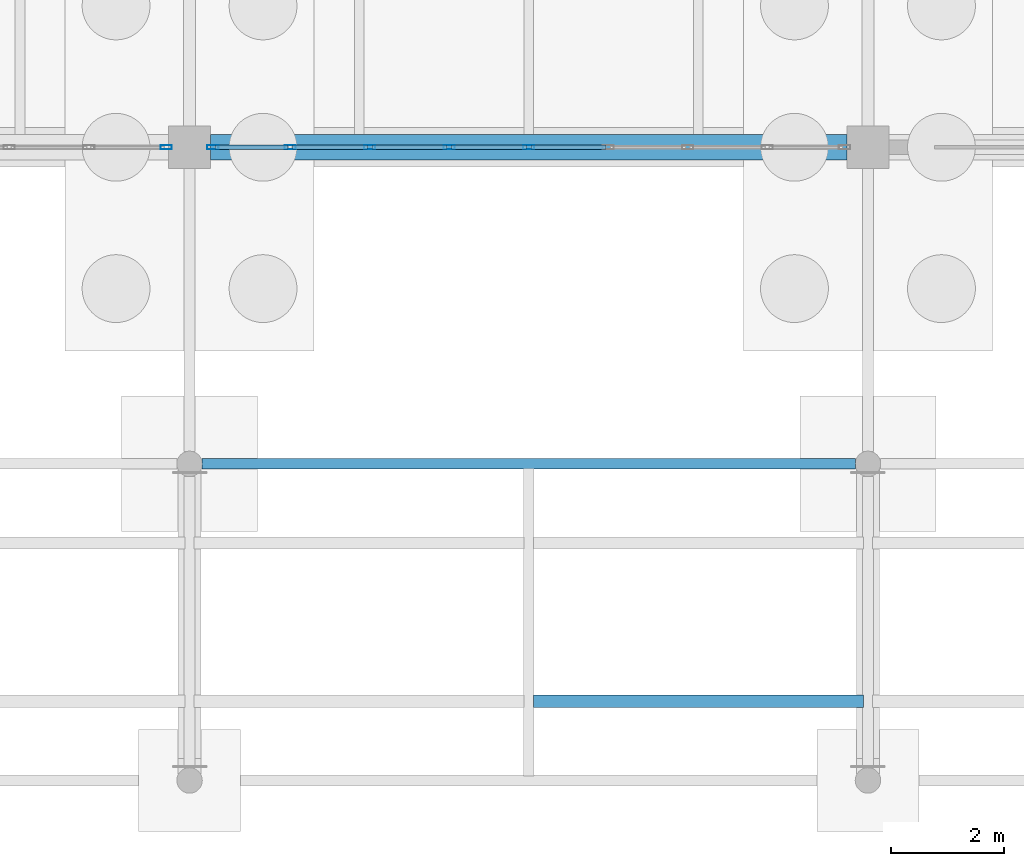
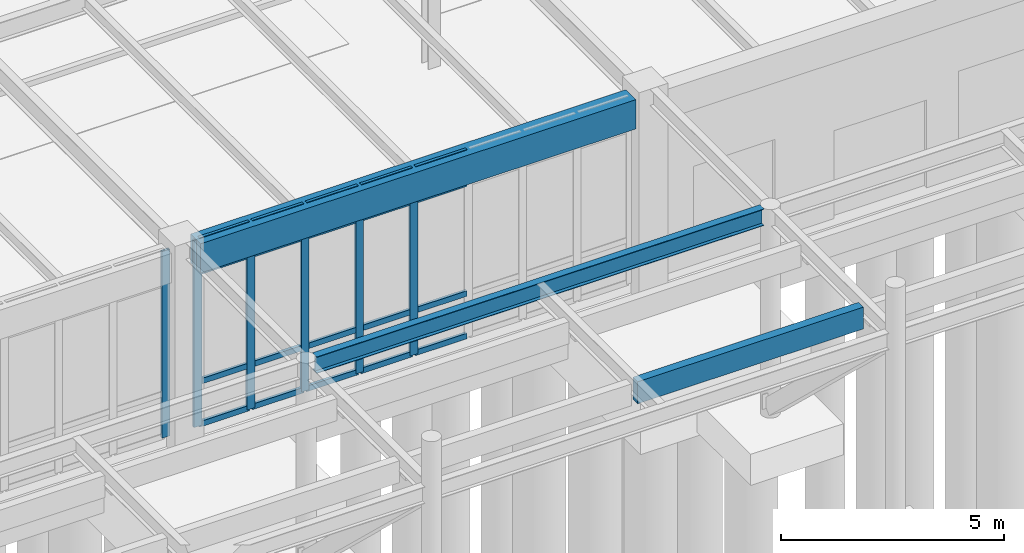
# One storey, part 56 of 188: 27 members, 2 beams, 2 elements without a shape of their own.
"""IFC4 building model written with IfcOpenShell, lengths in metres."""

from ifc_helpers import new_model, si_unit, direction, frame, origin, origin_2d, place, context, subcontext, project, spatial, rectangle, hollow_rectangle, i_section, extrude, material, layer, layer_set, material_profile, profile_set, type_object, element, aggregate, save


model = new_model("IFC4")

# Units and contexts
model_context = context("Model", 3, precision=1e-05, world=origin(), true_north=direction((0.0, 1.0)))
body_context = subcontext(model_context, "Body", "Model", "MODEL_VIEW")
ifc_project = project(units=[si_unit("LENGTHUNIT", "METRE"), si_unit("AREAUNIT", "SQUARE_METRE"), si_unit("VOLUMEUNIT", "CUBIC_METRE"), si_unit("PLANEANGLEUNIT", "RADIAN"), si_unit("MASSUNIT", "GRAM", prefix="KILO")], contexts=[model_context])

# Site, building, storey
site_placement = place(None, origin())
site = spatial("IfcSite", under=ifc_project, at=site_placement, CompositionType="ELEMENT")
building_placement = place(site_placement, origin())
building = spatial("IfcBuilding", under=site, at=building_placement, Name="Pandanus Reach Market Hall", CompositionType="ELEMENT")
storey_placement = place(building_placement, origin())
storey = spatial("IfcBuildingStorey", under=building, at=storey_placement, Name="L00", CompositionType="ELEMENT", Elevation=0.0)

# Beams
ifc_material_1 = material(Name="Concrete N40 (40 MPa)", Category="concrete")
ifc_material_profile_1 = material_profile(ifc_material_1, rectangle(XDim=0.449951171875, YDim=0.800048828125, at=origin_2d()), Name="RC450x800", Category="LoadBearing")
ifc_profile_set_1 = profile_set([ifc_material_profile_1], Name="Concrete N40 (40 MPa)")
beam_type_1 = type_object("IfcBeamType", Name="BM-RC450-E", PredefinedType="SPANDREL", material=ifc_profile_set_1)
beam_1_placement = place(storey_placement, frame((72.373046875, 28.800048828125, 4.719970703125), z_axis=(1.0, 0.0, 0.0), x_axis=(0.0, 1.0, 0.0)))
element("IfcBeam", 1, at=beam_1_placement, inside=storey, type_object=beam_type_1, Name="Framing beam BM-RC450-E L00.1040", PredefinedType="SPANDREL", context=body_context, shape_type="SweptSolid", body=[
    extrude(rectangle(XDim=0.449951171875, YDim=0.800048828125, at=origin_2d()), origin(), (0.0, 0.0, 1.0), 11.25390625),
])
ifc_material_2 = material(Name="Steel Grade 350 (350 MPa)", Category="steel")
ifc_material_profile_2 = material_profile(ifc_material_2, i_section(OverallWidth=0.18994140625, OverallDepth=0.45703125, WebThickness=0.009033203125, FlangeThickness=0.014404296875, at=origin_2d()), Name="460UB74.6", Category="LoadBearing")
ifc_profile_set_2 = profile_set([ifc_material_profile_2], Name="Steel Grade 350 (350 MPa)")
beam_type_2 = type_object("IfcBeamType", Name="BM-UB460-E", PredefinedType="BEAM", material=ifc_profile_set_2)
beam_2_placement = place(storey_placement, frame((72.219970703125, 23.199951171875, 5.169921875), z_axis=(1.0, 0.0, 0.0), x_axis=(0.0, 1.0, 0.0)))
element("IfcBeam", 2, at=beam_2_placement, inside=storey, type_object=beam_type_2, Name="Forecourt canopy spine girder C2", PredefinedType="BEAM", context=body_context, shape_type="SweptSolid", body=[
    extrude(i_section(OverallWidth=0.18994140625, OverallDepth=0.45703125, WebThickness=0.009033203125, FlangeThickness=0.014404296875, at=origin_2d()), origin(), (0.0, 0.0, 1.0), 11.56005859375),
])

# Curtain wall, member
ifc_material_3 = material(Name="Bronze anodised aluminium and low-E glass", Category="aluminium")
ifc_layer = layer(ifc_material_3, 0.199951171875, Name="CW-01")
ifc_layer_set = layer_set([ifc_layer], Name="Bronze anodised aluminium and low-E glass")
curtain_wall_type = type_object("IfcCurtainWallType", Name="CW-01", PredefinedType="NOTDEFINED", material=ifc_layer_set)
curtain_wall_1_placement = place(storey_placement, origin())
curtain_wall_1 = element("IfcCurtainWall", 3, at=curtain_wall_1_placement, inside=storey, type_object=curtain_wall_type, Name="Glazed curtain wall CW-01 CW-0001", PredefinedType="NOTDEFINED")
ifc_material_4 = material(Name="Bronze anodised aluminium", Category="aluminium")
ifc_material_profile_3 = material_profile(ifc_material_4, hollow_rectangle(XDim=0.074951171875, YDim=0.199951171875, WallThickness=0.00439453125, at=origin_2d()), Name="ALU75x200", Category="LoadBearing")
ifc_profile_set_3 = profile_set([ifc_material_profile_3], Name="Bronze anodised aluminium")
member_type_1 = type_object("IfcMemberType", Name="CW-M2", PredefinedType="MULLION", material=ifc_profile_set_3)
member_1_placement = place(storey_placement, frame((71.58740234375, 28.800048828125, 0.0), z_axis=(0.0, 0.0, 1.0), x_axis=(0.0, 1.0, 0.0)))
member_1 = element("IfcMember", 4, at=member_1_placement, type_object=member_type_1, Name="CW-01 mullion 9", PredefinedType="MULLION", context=body_context, shape_type="SweptSolid", body=[
    extrude(hollow_rectangle(XDim=0.074951171875, YDim=0.199951171875, WallThickness=0.00439453125, at=origin_2d()), origin(), (0.0, 0.0, 1.0), 5.10009765625),
])
aggregate(curtain_wall_1, [member_1])

# Curtain wall, members
curtain_wall_2_placement = place(storey_placement, origin())
curtain_wall_2 = element("IfcCurtainWall", 5, at=curtain_wall_2_placement, inside=storey, type_object=curtain_wall_type, Name="Glazed curtain wall CW-01 CW-0003", PredefinedType="NOTDEFINED")
member_2_placement = place(storey_placement, frame((72.41259765625, 28.800048828125, 0.0), z_axis=(0.0, 0.0, 1.0), x_axis=(0.0, 1.0, 0.0)))
member_2 = element("IfcMember", 6, at=member_2_placement, type_object=member_type_1, Name="CW-01 mullion 1", PredefinedType="MULLION", context=body_context, shape_type="SweptSolid", body=[
    extrude(hollow_rectangle(XDim=0.074951171875, YDim=0.199951171875, WallThickness=0.00439453125, at=origin_2d()), origin(), (0.0, 0.0, 1.0), 5.10009765625),
])
member_3_placement = place(storey_placement, frame((73.78125, 28.800048828125, 0.0), z_axis=(0.0, 0.0, 1.0), x_axis=(0.0, 1.0, 0.0)))
member_3 = element("IfcMember", 7, at=member_3_placement, type_object=member_type_1, Name="CW-01 mullion 2", PredefinedType="MULLION", context=body_context, shape_type="SweptSolid", body=[
    extrude(hollow_rectangle(XDim=0.074951171875, YDim=0.199951171875, WallThickness=0.00439453125, at=origin_2d()), origin(), (0.0, 0.0, 1.0), 5.10009765625),
])
member_4_placement = place(storey_placement, frame((75.1875, 28.800048828125, 0.0), z_axis=(0.0, 0.0, 1.0), x_axis=(0.0, 1.0, 0.0)))
member_4 = element("IfcMember", 8, at=member_4_placement, type_object=member_type_1, Name="CW-01 mullion 3", PredefinedType="MULLION", context=body_context, shape_type="SweptSolid", body=[
    extrude(hollow_rectangle(XDim=0.074951171875, YDim=0.199951171875, WallThickness=0.00439453125, at=origin_2d()), origin(), (0.0, 0.0, 1.0), 5.10009765625),
])
member_5_placement = place(storey_placement, frame((76.59375, 28.800048828125, 0.0), z_axis=(0.0, 0.0, 1.0), x_axis=(0.0, 1.0, 0.0)))
member_5 = element("IfcMember", 9, at=member_5_placement, type_object=member_type_1, Name="CW-01 mullion 4", PredefinedType="MULLION", context=body_context, shape_type="SweptSolid", body=[
    extrude(hollow_rectangle(XDim=0.074951171875, YDim=0.199951171875, WallThickness=0.00439453125, at=origin_2d()), origin(), (0.0, 0.0, 1.0), 5.10009765625),
])
member_6_placement = place(storey_placement, frame((78.0, 28.800048828125, 0.0), z_axis=(0.0, 0.0, 1.0), x_axis=(0.0, 1.0, 0.0)))
member_6 = element("IfcMember", 10, at=member_6_placement, type_object=member_type_1, Name="CW-01 mullion 5", PredefinedType="MULLION", context=body_context, shape_type="SweptSolid", body=[
    extrude(hollow_rectangle(XDim=0.074951171875, YDim=0.199951171875, WallThickness=0.00439453125, at=origin_2d()), origin(), (0.0, 0.0, 1.0), 5.10009765625),
])
ifc_material_profile_4 = material_profile(ifc_material_4, hollow_rectangle(XDim=0.074951171875, YDim=0.14990234375, WallThickness=0.00439453125, at=origin_2d()), Name="ALU75x150", Category="LoadBearing")
ifc_profile_set_4 = profile_set([ifc_material_profile_4], Name="Bronze anodised aluminium")
member_type_2 = type_object("IfcMemberType", Name="CW-T2", PredefinedType="USERDEFINED", material=ifc_profile_set_4)
member_7_placement = place(storey_placement, frame((72.449951171875, 28.800048828125, 0.03759765625), z_axis=(1.0, 0.0, 0.0), x_axis=(0.0, 1.0, 0.0)))
member_7 = element("IfcMember", 11, at=member_7_placement, type_object=member_type_2, Name="CW-01 transom 1.1", ObjectType="TRANSOM", PredefinedType="USERDEFINED", context=body_context, shape_type="SweptSolid", body=[
    extrude(hollow_rectangle(XDim=0.074951171875, YDim=0.14990234375, WallThickness=0.00439453125, at=origin_2d()), origin(), (0.0, 0.0, 1.0), 1.293701171875),
])
member_8_placement = place(storey_placement, frame((72.449951171875, 28.800048828125, 1.199951171875), z_axis=(1.0, 0.0, 0.0), x_axis=(0.0, 1.0, 0.0)))
member_8 = element("IfcMember", 12, at=member_8_placement, type_object=member_type_2, Name="CW-01 transom 1.2", ObjectType="TRANSOM", PredefinedType="USERDEFINED", context=body_context, shape_type="SweptSolid", body=[
    extrude(hollow_rectangle(XDim=0.074951171875, YDim=0.14990234375, WallThickness=0.00439453125, at=origin_2d()), origin(), (0.0, 0.0, 1.0), 1.293701171875),
])
member_9_placement = place(storey_placement, frame((72.449951171875, 28.800048828125, 4.199951171875), z_axis=(1.0, 0.0, 0.0), x_axis=(0.0, 1.0, 0.0)))
member_9 = element("IfcMember", 13, at=member_9_placement, type_object=member_type_2, Name="CW-01 transom 1.3", ObjectType="TRANSOM", PredefinedType="USERDEFINED", context=body_context, shape_type="SweptSolid", body=[
    extrude(hollow_rectangle(XDim=0.074951171875, YDim=0.14990234375, WallThickness=0.00439453125, at=origin_2d()), origin(), (0.0, 0.0, 1.0), 1.293701171875),
])
member_10_placement = place(storey_placement, frame((72.449951171875, 28.800048828125, 5.0625), z_axis=(1.0, 0.0, 0.0), x_axis=(0.0, 1.0, 0.0)))
member_10 = element("IfcMember", 14, at=member_10_placement, type_object=member_type_2, Name="CW-01 transom 1.4", ObjectType="TRANSOM", PredefinedType="USERDEFINED", context=body_context, shape_type="SweptSolid", body=[
    extrude(hollow_rectangle(XDim=0.074951171875, YDim=0.14990234375, WallThickness=0.00439453125, at=origin_2d()), origin(), (0.0, 0.0, 1.0), 1.293701171875),
])
member_11_placement = place(storey_placement, frame((73.81884765625, 28.800048828125, 0.03759765625), z_axis=(1.0, 0.0, 0.0), x_axis=(0.0, 1.0, 0.0)))
member_11 = element("IfcMember", 15, at=member_11_placement, type_object=member_type_2, Name="CW-01 transom 2.1", ObjectType="TRANSOM", PredefinedType="USERDEFINED", context=body_context, shape_type="SweptSolid", body=[
    extrude(hollow_rectangle(XDim=0.074951171875, YDim=0.14990234375, WallThickness=0.00439453125, at=origin_2d()), origin(), (0.0, 0.0, 1.0), 1.3310546875),
])
member_12_placement = place(storey_placement, frame((73.81884765625, 28.800048828125, 1.199951171875), z_axis=(1.0, 0.0, 0.0), x_axis=(0.0, 1.0, 0.0)))
member_12 = element("IfcMember", 16, at=member_12_placement, type_object=member_type_2, Name="CW-01 transom 2.2", ObjectType="TRANSOM", PredefinedType="USERDEFINED", context=body_context, shape_type="SweptSolid", body=[
    extrude(hollow_rectangle(XDim=0.074951171875, YDim=0.14990234375, WallThickness=0.00439453125, at=origin_2d()), origin(), (0.0, 0.0, 1.0), 1.3310546875),
])
member_13_placement = place(storey_placement, frame((73.81884765625, 28.800048828125, 4.199951171875), z_axis=(1.0, 0.0, 0.0), x_axis=(0.0, 1.0, 0.0)))
member_13 = element("IfcMember", 17, at=member_13_placement, type_object=member_type_2, Name="CW-01 transom 2.3", ObjectType="TRANSOM", PredefinedType="USERDEFINED", context=body_context, shape_type="SweptSolid", body=[
    extrude(hollow_rectangle(XDim=0.074951171875, YDim=0.14990234375, WallThickness=0.00439453125, at=origin_2d()), origin(), (0.0, 0.0, 1.0), 1.3310546875),
])
member_14_placement = place(storey_placement, frame((73.81884765625, 28.800048828125, 5.0625), z_axis=(1.0, 0.0, 0.0), x_axis=(0.0, 1.0, 0.0)))
member_14 = element("IfcMember", 18, at=member_14_placement, type_object=member_type_2, Name="CW-01 transom 2.4", ObjectType="TRANSOM", PredefinedType="USERDEFINED", context=body_context, shape_type="SweptSolid", body=[
    extrude(hollow_rectangle(XDim=0.074951171875, YDim=0.14990234375, WallThickness=0.00439453125, at=origin_2d()), origin(), (0.0, 0.0, 1.0), 1.3310546875),
])
member_15_placement = place(storey_placement, frame((75.22509765625, 28.800048828125, 0.03759765625), z_axis=(1.0, 0.0, 0.0), x_axis=(0.0, 1.0, 0.0)))
member_15 = element("IfcMember", 19, at=member_15_placement, type_object=member_type_2, Name="CW-01 transom 3.1", ObjectType="TRANSOM", PredefinedType="USERDEFINED", context=body_context, shape_type="SweptSolid", body=[
    extrude(hollow_rectangle(XDim=0.074951171875, YDim=0.14990234375, WallThickness=0.00439453125, at=origin_2d()), origin(), (0.0, 0.0, 1.0), 1.3310546875),
])
member_16_placement = place(storey_placement, frame((75.22509765625, 28.800048828125, 1.199951171875), z_axis=(1.0, 0.0, 0.0), x_axis=(0.0, 1.0, 0.0)))
member_16 = element("IfcMember", 20, at=member_16_placement, type_object=member_type_2, Name="CW-01 transom 3.2", ObjectType="TRANSOM", PredefinedType="USERDEFINED", context=body_context, shape_type="SweptSolid", body=[
    extrude(hollow_rectangle(XDim=0.074951171875, YDim=0.14990234375, WallThickness=0.00439453125, at=origin_2d()), origin(), (0.0, 0.0, 1.0), 1.3310546875),
])
member_17_placement = place(storey_placement, frame((75.22509765625, 28.800048828125, 4.199951171875), z_axis=(1.0, 0.0, 0.0), x_axis=(0.0, 1.0, 0.0)))
member_17 = element("IfcMember", 21, at=member_17_placement, type_object=member_type_2, Name="CW-01 transom 3.3", ObjectType="TRANSOM", PredefinedType="USERDEFINED", context=body_context, shape_type="SweptSolid", body=[
    extrude(hollow_rectangle(XDim=0.074951171875, YDim=0.14990234375, WallThickness=0.00439453125, at=origin_2d()), origin(), (0.0, 0.0, 1.0), 1.3310546875),
])
member_18_placement = place(storey_placement, frame((75.22509765625, 28.800048828125, 5.0625), z_axis=(1.0, 0.0, 0.0), x_axis=(0.0, 1.0, 0.0)))
member_18 = element("IfcMember", 22, at=member_18_placement, type_object=member_type_2, Name="CW-01 transom 3.4", ObjectType="TRANSOM", PredefinedType="USERDEFINED", context=body_context, shape_type="SweptSolid", body=[
    extrude(hollow_rectangle(XDim=0.074951171875, YDim=0.14990234375, WallThickness=0.00439453125, at=origin_2d()), origin(), (0.0, 0.0, 1.0), 1.3310546875),
])
member_19_placement = place(storey_placement, frame((76.63134765625, 28.800048828125, 0.03759765625), z_axis=(1.0, 0.0, 0.0), x_axis=(0.0, 1.0, 0.0)))
member_19 = element("IfcMember", 23, at=member_19_placement, type_object=member_type_2, Name="CW-01 transom 4.1", ObjectType="TRANSOM", PredefinedType="USERDEFINED", context=body_context, shape_type="SweptSolid", body=[
    extrude(hollow_rectangle(XDim=0.074951171875, YDim=0.14990234375, WallThickness=0.00439453125, at=origin_2d()), origin(), (0.0, 0.0, 1.0), 1.3310546875),
])
member_20_placement = place(storey_placement, frame((76.63134765625, 28.800048828125, 1.199951171875), z_axis=(1.0, 0.0, 0.0), x_axis=(0.0, 1.0, 0.0)))
member_20 = element("IfcMember", 24, at=member_20_placement, type_object=member_type_2, Name="CW-01 transom 4.2", ObjectType="TRANSOM", PredefinedType="USERDEFINED", context=body_context, shape_type="SweptSolid", body=[
    extrude(hollow_rectangle(XDim=0.074951171875, YDim=0.14990234375, WallThickness=0.00439453125, at=origin_2d()), origin(), (0.0, 0.0, 1.0), 1.3310546875),
])
member_21_placement = place(storey_placement, frame((76.63134765625, 28.800048828125, 4.199951171875), z_axis=(1.0, 0.0, 0.0), x_axis=(0.0, 1.0, 0.0)))
member_21 = element("IfcMember", 25, at=member_21_placement, type_object=member_type_2, Name="CW-01 transom 4.3", ObjectType="TRANSOM", PredefinedType="USERDEFINED", context=body_context, shape_type="SweptSolid", body=[
    extrude(hollow_rectangle(XDim=0.074951171875, YDim=0.14990234375, WallThickness=0.00439453125, at=origin_2d()), origin(), (0.0, 0.0, 1.0), 1.3310546875),
])
member_22_placement = place(storey_placement, frame((76.63134765625, 28.800048828125, 5.0625), z_axis=(1.0, 0.0, 0.0), x_axis=(0.0, 1.0, 0.0)))
member_22 = element("IfcMember", 26, at=member_22_placement, type_object=member_type_2, Name="CW-01 transom 4.4", ObjectType="TRANSOM", PredefinedType="USERDEFINED", context=body_context, shape_type="SweptSolid", body=[
    extrude(hollow_rectangle(XDim=0.074951171875, YDim=0.14990234375, WallThickness=0.00439453125, at=origin_2d()), origin(), (0.0, 0.0, 1.0), 1.3310546875),
])
member_23_placement = place(storey_placement, frame((78.03759765625, 28.800048828125, 0.03759765625), z_axis=(1.0, 0.0, 0.0), x_axis=(0.0, 1.0, 0.0)))
member_23 = element("IfcMember", 27, at=member_23_placement, type_object=member_type_2, Name="CW-01 transom 5.1", ObjectType="TRANSOM", PredefinedType="USERDEFINED", context=body_context, shape_type="SweptSolid", body=[
    extrude(hollow_rectangle(XDim=0.074951171875, YDim=0.14990234375, WallThickness=0.00439453125, at=origin_2d()), origin(), (0.0, 0.0, 1.0), 1.3310546875),
])
member_24_placement = place(storey_placement, frame((78.03759765625, 28.800048828125, 1.199951171875), z_axis=(1.0, 0.0, 0.0), x_axis=(0.0, 1.0, 0.0)))
member_24 = element("IfcMember", 28, at=member_24_placement, type_object=member_type_2, Name="CW-01 transom 5.2", ObjectType="TRANSOM", PredefinedType="USERDEFINED", context=body_context, shape_type="SweptSolid", body=[
    extrude(hollow_rectangle(XDim=0.074951171875, YDim=0.14990234375, WallThickness=0.00439453125, at=origin_2d()), origin(), (0.0, 0.0, 1.0), 1.3310546875),
])
member_25_placement = place(storey_placement, frame((78.03759765625, 28.800048828125, 4.199951171875), z_axis=(1.0, 0.0, 0.0), x_axis=(0.0, 1.0, 0.0)))
member_25 = element("IfcMember", 29, at=member_25_placement, type_object=member_type_2, Name="CW-01 transom 5.3", ObjectType="TRANSOM", PredefinedType="USERDEFINED", context=body_context, shape_type="SweptSolid", body=[
    extrude(hollow_rectangle(XDim=0.074951171875, YDim=0.14990234375, WallThickness=0.00439453125, at=origin_2d()), origin(), (0.0, 0.0, 1.0), 1.3310546875),
])
member_26_placement = place(storey_placement, frame((78.03759765625, 28.800048828125, 5.0625), z_axis=(1.0, 0.0, 0.0), x_axis=(0.0, 1.0, 0.0)))
member_26 = element("IfcMember", 30, at=member_26_placement, type_object=member_type_2, Name="CW-01 transom 5.4", ObjectType="TRANSOM", PredefinedType="USERDEFINED", context=body_context, shape_type="SweptSolid", body=[
    extrude(hollow_rectangle(XDim=0.074951171875, YDim=0.14990234375, WallThickness=0.00439453125, at=origin_2d()), origin(), (0.0, 0.0, 1.0), 1.3310546875),
])
aggregate(curtain_wall_2, [member_2, member_3, member_4, member_5, member_6, member_7, member_8, member_9, member_10, member_11, member_12, member_13, member_14, member_15, member_16, member_17, member_18, member_19, member_20, member_21, member_22, member_23, member_24, member_25, member_26])

# Member
ifc_material_5 = material(Name="Glulam timber GL17", Category="wood")
ifc_material_profile_5 = material_profile(ifc_material_5, rectangle(XDim=0.215087890625, YDim=0.60009765625, at=origin_2d()), Name="GL215x600", Category="LoadBearing")
ifc_profile_set_5 = profile_set([ifc_material_profile_5], Name="Glulam timber GL17")
member_type_3 = type_object("IfcMemberType", Name="PR-GL215-E", PredefinedType="PURLIN", material=ifc_profile_set_5)
member_27_placement = place(storey_placement, frame((78.080078125, 19.0, 4.919921875), z_axis=(1.0, 0.0, 0.0), x_axis=(0.0, 1.0, 0.0)))
element("IfcMember", 31, at=member_27_placement, inside=storey, type_object=member_type_3, Name="Canopy glulam purlin C2E", PredefinedType="PURLIN", context=body_context, shape_type="SweptSolid", body=[
    extrude(rectangle(XDim=0.215087890625, YDim=0.60009765625, at=origin_2d()), origin(), (0.0, 0.0, 1.0), 5.83984375),
])

save(model, "model.ifc")
